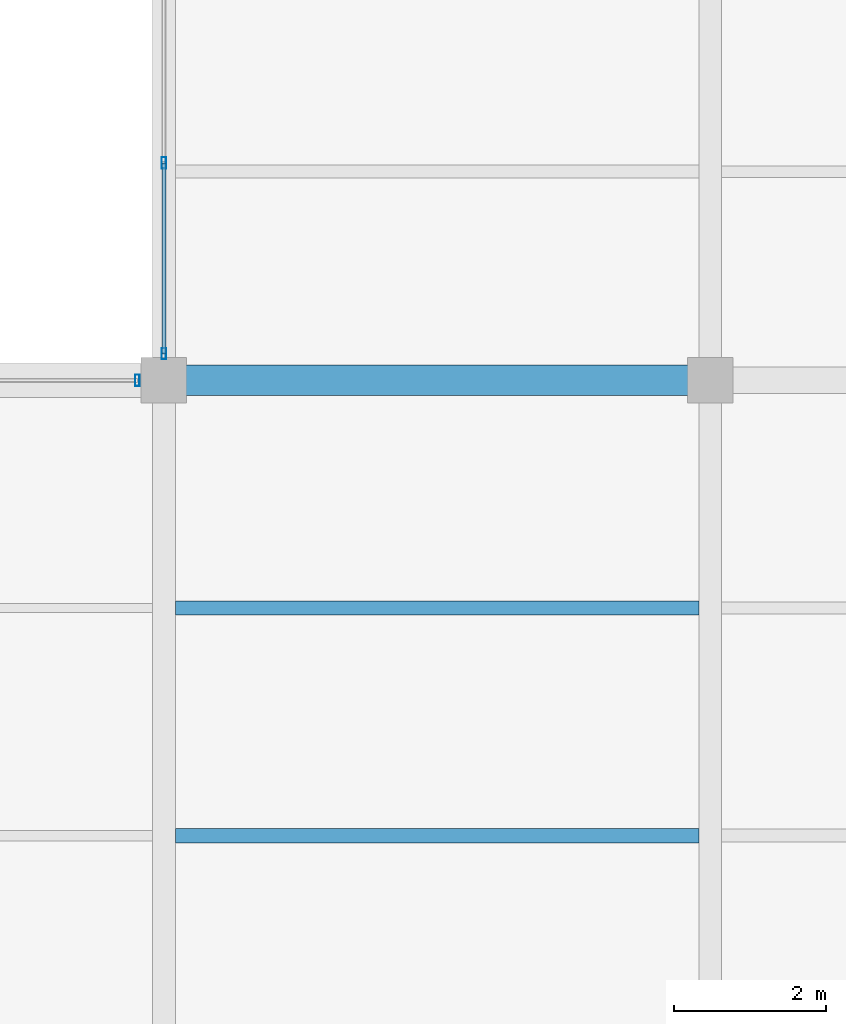
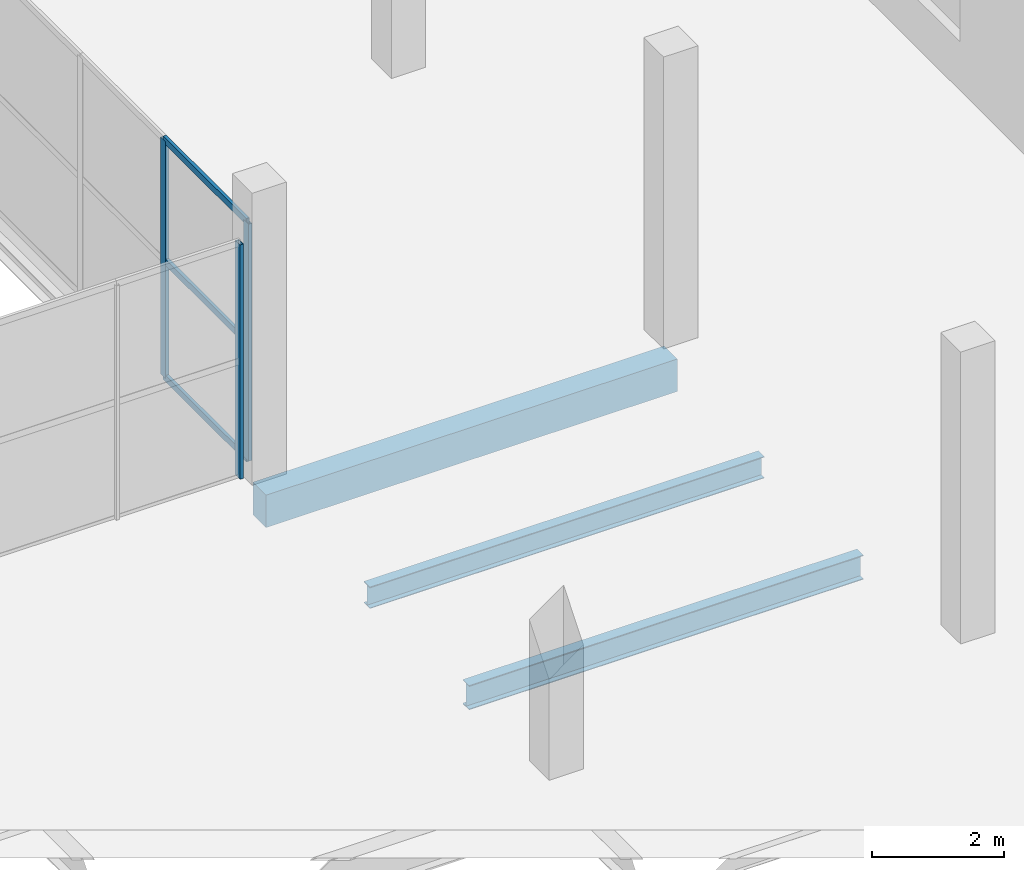
# One storey, part 91 of 141: 6 members, 3 beams, 2 elements without a shape of their own.
"""IFC4 building model written with IfcOpenShell, lengths in metres."""

import ifcopenshell
import ifcopenshell.guid

model = None  # the IFC model being written
_history = None  # IfcOwnerHistory: only IFC2X3 demands one
_inside = {}  # id of a spatial element -> (the spatial element, [elements in it])
_under = {}  # id of a project, library or spatial element -> (it, [spatial elements below it])
_declared = {}  # id of a project -> (the project, [libraries it declares])
_typed = {}  # id of a type object -> (the type object, [elements of that type])
_made_of = {}  # id of a material, layer set ... -> (it, [elements and type objects made of it])


def new_model(schema):
    """Start an empty IFC model of exactly this schema.

    Asked for "IFC4X3", IfcOpenShell would pick the latest addendum, in which some entities
    have other attributes; the version numbers below select the first issue.
    IFC2X3 requires an IfcOwnerHistory on every rooted entity: one is made here for all.
    """
    global model, _history
    if schema == "IFC4X3":
        model = ifcopenshell.file(schema_version=(4, 3, 0, 0))
    else:
        model = ifcopenshell.file(schema=schema)
    _inside.clear()
    _under.clear()
    _declared.clear()
    _typed.clear()
    _made_of.clear()
    _history = None
    if model.schema == "IFC2X3":
        org = make("IfcOrganization", Name="unknown")
        user = make(
            "IfcPersonAndOrganization",
            ThePerson=make("IfcPerson", FamilyName="unknown"),
            TheOrganization=org,
        )
        app = make(
            "IfcApplication",
            ApplicationDeveloper=org,
            Version="unknown",
            ApplicationFullName="unknown",
            ApplicationIdentifier="unknown",
        )
        _history = make(
            "IfcOwnerHistory",
            OwningUser=user,
            OwningApplication=app,
            ChangeAction="ADDED",
            CreationDate=0,
        )
    return model


def make(cls, **values):
    """One entity of the class cls with the attributes given. An attribute that is None is left unset."""
    return model.create_entity(
        cls, **{name: value for name, value in values.items() if value is not None}
    )


def rooted(cls, **values):
    """An entity with a GlobalId (a new one), such as an element, a storey or a relation."""
    return make(cls, GlobalId=ifcopenshell.guid.new(), OwnerHistory=_history, **values)


def si_unit(unit_type, name, prefix=None):
    """IfcSIUnit, for example si_unit("LENGTHUNIT", "METRE", prefix="MILLI")."""
    return make("IfcSIUnit", UnitType=unit_type, Prefix=prefix, Name=name)


def assignment(units):
    """IfcUnitAssignment: the units of a project."""
    return None if units is None else make("IfcUnitAssignment", Units=units)


def point(xyz):
    """IfcCartesianPoint."""
    return None if xyz is None else make("IfcCartesianPoint", Coordinates=xyz)


def direction(xyz):
    """IfcDirection."""
    return None if xyz is None else make("IfcDirection", DirectionRatios=xyz)


def frame(location, z_axis=None, x_axis=None):
    """IfcAxis2Placement3D, a coordinate frame: its origin and axes. An axis left out is left unset."""
    return make(
        "IfcAxis2Placement3D",
        Location=point(location),
        Axis=direction(z_axis),
        RefDirection=direction(x_axis),
    )


def frame_2d(location, x_axis=None):
    """IfcAxis2Placement2D, a coordinate frame in the plane: its origin and x axis."""
    return make(
        "IfcAxis2Placement2D", Location=point(location), RefDirection=direction(x_axis)
    )


def origin():
    """The frame at (0, 0, 0) with its axes left unset."""
    return frame((0.0, 0.0, 0.0))


def origin_2d():
    """The frame at (0, 0) in the plane with its x axis left unset."""
    return frame_2d((0.0, 0.0))


def place(relative_to, where):
    """IfcLocalPlacement: puts the frame where relative to a parent placement (None: the world)."""
    return make(
        "IfcLocalPlacement", PlacementRelTo=relative_to, RelativePlacement=where
    )


def context(
    kind, dimensions, precision=None, world=None, true_north=None, identifier=None
):
    """IfcGeometricRepresentationContext, for example the 3D "Model" context."""
    return make(
        "IfcGeometricRepresentationContext",
        ContextIdentifier=identifier,
        ContextType=kind,
        CoordinateSpaceDimension=dimensions,
        Precision=precision,
        WorldCoordinateSystem=world,
        TrueNorth=true_north,
    )


def subcontext(parent, identifier, kind, view, scale=None):
    """IfcGeometricRepresentationSubContext, for example "Body" below "Model"."""
    return make(
        "IfcGeometricRepresentationSubContext",
        ContextIdentifier=identifier,
        ContextType=kind,
        ParentContext=parent,
        TargetScale=scale,
        TargetView=view,
    )


def project(units=None, contexts=None):
    """IfcProject with its units and contexts."""
    return rooted(
        "IfcProject",
        Name="project",
        RepresentationContexts=contexts,
        UnitsInContext=assignment(units),
    )


def spatial(cls, under=None, at=None, **own):
    """A site, building, storey or space (cls), placed at a placement, below another one or the project."""
    s = rooted(cls, ObjectPlacement=at, **own)
    if under is not None:
        _under.setdefault(under.id(), (under, []))[1].append(s)
    return s


def profile(cls, at=None, kind="AREA", **sizes):
    """A parametric profile (cls). Its sizes go by their IFC names, for example OverallWidth=200.0."""
    return make(cls, ProfileType=kind, Position=at, **sizes)


def rectangle(**sizes):
    """IfcRectangleProfileDef."""
    return profile("IfcRectangleProfileDef", **sizes)


def hollow_rectangle(**sizes):
    """IfcRectangleHollowProfileDef."""
    return profile("IfcRectangleHollowProfileDef", **sizes)


def i_section(**sizes):
    """IfcIShapeProfileDef."""
    return profile("IfcIShapeProfileDef", **sizes)


def extrude(swept, where, along, depth):
    """IfcExtrudedAreaSolid: the profile swept, set in the frame where, extruded along a direction by depth."""
    return make(
        "IfcExtrudedAreaSolid",
        SweptArea=swept,
        Position=where,
        ExtrudedDirection=direction(along),
        Depth=depth,
    )


def shape(context_of_items, identifier, shape_type, items):
    """IfcShapeRepresentation: the items that make up one representation, for example the "Body"."""
    return make(
        "IfcShapeRepresentation",
        ContextOfItems=context_of_items,
        RepresentationIdentifier=identifier,
        RepresentationType=shape_type,
        Items=items,
    )


def material(Name=None, Category=None):
    """IfcMaterial."""
    return make("IfcMaterial", Name=Name, Category=Category)


def layer(
    of_material, thickness, ventilated=None, Name=None, Category=None, Priority=None
):
    """IfcMaterialLayer: one layer of a wall or slab, of a material (None: an air gap)."""
    return make(
        "IfcMaterialLayer",
        Material=of_material,
        LayerThickness=thickness,
        IsVentilated=ventilated,
        Name=Name,
        Category=Category,
        Priority=Priority,
    )


def layer_set(layers, Name=None):
    """IfcMaterialLayerSet."""
    return make("IfcMaterialLayerSet", MaterialLayers=layers, LayerSetName=Name)


def material_profile(
    of_material, cross_section, Name=None, Category=None, Priority=None
):
    """IfcMaterialProfile: a cross section and its material."""
    return make(
        "IfcMaterialProfile",
        Name=Name,
        Material=of_material,
        Profile=cross_section,
        Priority=Priority,
        Category=Category,
    )


def profile_set(profiles, Name=None, composite=None):
    """IfcMaterialProfileSet."""
    return make(
        "IfcMaterialProfileSet",
        Name=Name,
        MaterialProfiles=profiles,
        CompositeProfile=composite,
    )


def made_of(thing, what):
    """Note that an element or type object is made of a material, layer set ...; save() writes the relation."""
    if what is not None:
        _made_of.setdefault(what.id(), (what, []))[1].append(thing)
    return thing


def type_object(cls, material=None, **own):
    """A type object (cls), such as IfcWallType, which elements share."""
    return made_of(rooted(cls, **own), material)


def element(
    cls,
    number,
    at=None,
    inside=None,
    cuts=None,
    type_object=None,
    material=None,
    context=None,
    identifier="Body",
    shape_type=None,
    held_by="IfcProductDefinitionShape",
    body=None,
    shapes=None,
    **own,
):
    """One element of the class cls, such as IfcWall. Its Tag is "e" and its number.

    at: its placement. inside: the storey or other place that contains it. cuts: it is an
    opening in that element (IfcRelVoidsElement). A single representation is given by context,
    identifier, shape_type and body (its items); several are given by shapes. held_by: the class
    of the entity that holds the representations. save() writes the other relations.
    """
    e = rooted(cls, Tag="e%d" % number, ObjectPlacement=at, **own)
    if body is not None:
        shapes = [shape(context, identifier, shape_type, body)]
    if shapes is not None:
        e.Representation = make(held_by, Representations=shapes)
    if inside is not None:
        _inside.setdefault(inside.id(), (inside, []))[1].append(e)
    if cuts is not None:
        rooted(
            "IfcRelVoidsElement", RelatingBuildingElement=cuts, RelatedOpeningElement=e
        )
    if type_object is not None:
        _typed.setdefault(type_object.id(), (type_object, []))[1].append(e)
    return made_of(e, material)


def aggregate(whole, parts):
    """IfcRelAggregates: a whole, such as a stair, and the parts it consists of."""
    return rooted("IfcRelAggregates", RelatingObject=whole, RelatedObjects=parts)


def save(model, path):
    """Write the relations noted so far, then the file.

    IfcRelAggregates (storeys below a building ...), IfcRelContainedInSpatialStructure (elements
    in a storey), IfcRelDefinesByType, IfcRelAssociatesMaterial and IfcRelDeclares: one each for
    every whole, place, type object, material and project.
    """
    for whole, parts in _under.values():
        aggregate(whole, parts)
    for where, things in _inside.values():
        rooted(
            "IfcRelContainedInSpatialStructure",
            RelatedElements=things,
            RelatingStructure=where,
        )
    for kind, things in _typed.values():
        rooted("IfcRelDefinesByType", RelatedObjects=things, RelatingType=kind)
    for what, things in _made_of.values():
        rooted("IfcRelAssociatesMaterial", RelatedObjects=things, RelatingMaterial=what)
    for by, libraries in _declared.values():
        rooted("IfcRelDeclares", RelatingContext=by, RelatedDefinitions=libraries)
    model.write(path)


model = new_model("IFC4")

# Units and contexts
model_context = context("Model", 3, precision=1e-05, world=origin(), true_north=direction((0.0, 1.0)))
body_context = subcontext(model_context, "Body", "Model", "MODEL_VIEW")
ifc_project = project(units=[si_unit("LENGTHUNIT", "METRE"), si_unit("AREAUNIT", "SQUARE_METRE"), si_unit("VOLUMEUNIT", "CUBIC_METRE"), si_unit("PLANEANGLEUNIT", "RADIAN"), si_unit("MASSUNIT", "GRAM", prefix="KILO")], contexts=[model_context])

# Site, building, storey
site_placement = place(None, origin())
site = spatial("IfcSite", under=ifc_project, at=site_placement, CompositionType="ELEMENT")
building_placement = place(site_placement, origin())
building = spatial("IfcBuilding", under=site, at=building_placement, Name="Sundgate Opera House", CompositionType="ELEMENT")
storey_placement = place(building_placement, frame((0.0, 0.0, 11.39990234375)))
storey = spatial("IfcBuildingStorey", under=building, at=storey_placement, Name="L02", CompositionType="ELEMENT", Elevation=11.39990234375)

# Beams
ifc_material_1 = material(Name="Steel S355J2", Category="steel")
ifc_material_profile_1 = material_profile(ifc_material_1, i_section(OverallWidth=0.179931640625, OverallDepth=0.39990234375, WebThickness=0.008544921875, FlangeThickness=0.013427734375, at=origin_2d()), Name="IPE 400")
ifc_profile_set_1 = profile_set([ifc_material_profile_1], Name="Steel S355J2")
beam_type_1 = type_object("IfcBeamType", Name="BM-JS-IPE400", PredefinedType="JOIST", material=ifc_profile_set_1)
beam_1_placement = place(storey_placement, frame((153.14990234375, 84.0, -0.5498046875), z_axis=(1.0, 0.0, 0.0), x_axis=(0.0, 1.0, 0.0)))
element("IfcBeam", 1, at=beam_1_placement, inside=storey, type_object=beam_type_1, Name="L02 Secondary Floor Joist B2333", PredefinedType="JOIST", context=body_context, shape_type="SweptSolid", body=[
    extrude(i_section(OverallWidth=0.179931640625, OverallDepth=0.39990234375, WebThickness=0.008544921875, FlangeThickness=0.013427734375, at=origin_2d()), origin(), (0.0, 0.0, 1.0), 6.900146484375),
])
ifc_material_2 = material(Name="Steel S355J2", Category="steel")
ifc_material_profile_2 = material_profile(ifc_material_2, i_section(OverallWidth=0.18994140625, OverallDepth=0.449951171875, WebThickness=0.009521484375, FlangeThickness=0.0146484375, at=origin_2d()), Name="IPE 450")
ifc_profile_set_2 = profile_set([ifc_material_profile_2], Name="Steel S355J2")
beam_type_2 = type_object("IfcBeamType", Name="BM-JS-IPE450", PredefinedType="JOIST", material=ifc_profile_set_2)
beam_2_placement = place(storey_placement, frame((153.14990234375, 81.0, -0.574951171875), z_axis=(1.0, 0.0, 0.0), x_axis=(0.0, 1.0, 0.0)))
element("IfcBeam", 2, at=beam_2_placement, inside=storey, type_object=beam_type_2, Name="L02 Secondary Floor Joist B2332", PredefinedType="JOIST", context=body_context, shape_type="SweptSolid", body=[
    extrude(i_section(OverallWidth=0.18994140625, OverallDepth=0.449951171875, WebThickness=0.009521484375, FlangeThickness=0.0146484375, at=origin_2d()), origin(), (0.0, 0.0, 1.0), 6.900146484375),
])
ifc_material_3 = material(Name="Concrete C35/45", Category="concrete")
ifc_material_profile_3 = material_profile(ifc_material_3, rectangle(XDim=0.39990234375, YDim=0.60009765625, at=origin_2d()), Name="RC 400x600")
ifc_profile_set_3 = profile_set([ifc_material_profile_3], Name="Concrete C35/45")
beam_type_3 = type_object("IfcBeamType", Name="BM-RC-400x600", PredefinedType="BEAM", material=ifc_profile_set_3)
beam_3_placement = place(storey_placement, frame((153.0, 87.0, -0.64990234375), z_axis=(1.0, 0.0, 0.0), x_axis=(0.0, 1.0, 0.0)))
element("IfcBeam", 3, at=beam_3_placement, inside=storey, type_object=beam_type_3, Name="L02 Primary E-W Girder B2067", PredefinedType="BEAM", context=body_context, shape_type="SweptSolid", body=[
    extrude(rectangle(XDim=0.39990234375, YDim=0.60009765625, at=origin_2d()), origin(), (0.0, 0.0, 1.0), 7.199951171875),
])

# Curtain wall, member
ifc_material_4 = material(Name="Anodized aluminium and low-iron glass", Category="aluminium")
ifc_layer = layer(ifc_material_4, 0.159912109375)
ifc_layer_set = layer_set([ifc_layer], Name="Anodized aluminium and low-iron glass")
curtain_wall_type = type_object("IfcCurtainWallType", Name="CW-STUDIO-DARK", PredefinedType="NOTDEFINED", material=ifc_layer_set)
curtain_wall_1_placement = place(storey_placement, origin())
curtain_wall_1 = element("IfcCurtainWall", 4, at=curtain_wall_1_placement, inside=storey, type_object=curtain_wall_type, Name="L02 Curtain Wall CW114", PredefinedType="NOTDEFINED")
ifc_material_5 = material(Name="Anodized aluminium EN AW-6063", Category="aluminium")
ifc_material_profile_4 = material_profile(ifc_material_5, hollow_rectangle(XDim=0.06005859375, YDim=0.14990234375, WallThickness=0.00390625, at=origin_2d()), Name="CWM 150x60x4")
ifc_profile_set_4 = profile_set([ifc_material_profile_4], Name="Anodized aluminium EN AW-6063")
member_type_1 = type_object("IfcMemberType", Name="CWM-ALU-150x60", PredefinedType="MULLION", material=ifc_profile_set_4)
member_1_placement = place(storey_placement, frame((152.64990234375, 87.0, 0.0), z_axis=(0.0, 0.0, 1.0), x_axis=(1.0, 0.0, 0.0)))
member_1 = element("IfcMember", 5, at=member_1_placement, type_object=member_type_1, Name="CW114 Mullion 4", PredefinedType="MULLION", context=body_context, shape_type="SweptSolid", body=[
    extrude(hollow_rectangle(XDim=0.06005859375, YDim=0.14990234375, WallThickness=0.00390625, at=origin_2d()), origin(), (0.0, 0.0, 1.0), 4.335205078125),
])
aggregate(curtain_wall_1, [member_1])

# Curtain wall, members
curtain_wall_2_placement = place(storey_placement, origin())
curtain_wall_2 = element("IfcCurtainWall", 6, at=curtain_wall_2_placement, inside=storey, type_object=curtain_wall_type, Name="L02 Curtain Wall CW117", PredefinedType="NOTDEFINED")
member_2_placement = place(storey_placement, frame((153.0, 89.86669921875, 0.0), z_axis=(0.0, 0.0, 1.0), x_axis=(1.0, 0.0, 0.0)))
member_2 = element("IfcMember", 7, at=member_2_placement, type_object=member_type_1, Name="CW117 Mullion 3", PredefinedType="MULLION", context=body_context, shape_type="SweptSolid", body=[
    extrude(hollow_rectangle(XDim=0.06005859375, YDim=0.14990234375, WallThickness=0.00390625, at=origin_2d()), origin(), (0.0, 0.0, 1.0), 4.385009765625),
])
member_3_placement = place(storey_placement, frame((153.0, 87.35009765625, 0.0), z_axis=(0.0, 0.0, 1.0), x_axis=(1.0, 0.0, 0.0)))
member_3 = element("IfcMember", 8, at=member_3_placement, type_object=member_type_1, Name="CW117 Mullion 4", PredefinedType="MULLION", context=body_context, shape_type="SweptSolid", body=[
    extrude(hollow_rectangle(XDim=0.06005859375, YDim=0.14990234375, WallThickness=0.00390625, at=origin_2d()), origin(), (0.0, 0.0, 1.0), 4.385009765625),
])
ifc_material_6 = material(Name="Anodized aluminium EN AW-6063", Category="aluminium")
ifc_material_profile_5 = material_profile(ifc_material_6, hollow_rectangle(XDim=0.054931640625, YDim=0.1201171875, WallThickness=0.00390625, at=origin_2d()), Name="CWT 120x55x4")
ifc_profile_set_5 = profile_set([ifc_material_profile_5], Name="Anodized aluminium EN AW-6063")
member_type_2 = type_object("IfcMemberType", Name="CWT-ALU-120x55", PredefinedType="USERDEFINED", material=ifc_profile_set_5)
member_4_placement = place(storey_placement, frame((153.0, 89.86669921875, 0.0), z_axis=(0.0, -1.0, 0.0), x_axis=(1.0, 0.0, 0.0)))
member_4 = element("IfcMember", 9, at=member_4_placement, type_object=member_type_2, Name="CW117 Transom 7", ObjectType="TRANSOM", PredefinedType="USERDEFINED", context=body_context, shape_type="SweptSolid", body=[
    extrude(hollow_rectangle(XDim=0.054931640625, YDim=0.1201171875, WallThickness=0.00390625, at=origin_2d()), origin(), (0.0, 0.0, 1.0), 2.5166015625),
])
member_5_placement = place(storey_placement, frame((153.0, 89.86669921875, 2.150146484375), z_axis=(0.0, -1.0, 0.0), x_axis=(1.0, 0.0, 0.0)))
member_5 = element("IfcMember", 10, at=member_5_placement, type_object=member_type_2, Name="CW117 Transom 8", ObjectType="TRANSOM", PredefinedType="USERDEFINED", context=body_context, shape_type="SweptSolid", body=[
    extrude(hollow_rectangle(XDim=0.054931640625, YDim=0.1201171875, WallThickness=0.00390625, at=origin_2d()), origin(), (0.0, 0.0, 1.0), 2.5166015625),
])
member_6_placement = place(storey_placement, frame((153.0, 89.86669921875, 4.385009765625), z_axis=(0.0, -1.0, 0.0), x_axis=(1.0, 0.0, 0.0)))
member_6 = element("IfcMember", 11, at=member_6_placement, type_object=member_type_2, Name="CW117 Transom 9", ObjectType="TRANSOM", PredefinedType="USERDEFINED", context=body_context, shape_type="SweptSolid", body=[
    extrude(hollow_rectangle(XDim=0.054931640625, YDim=0.1201171875, WallThickness=0.00390625, at=origin_2d()), origin(), (0.0, 0.0, 1.0), 2.5166015625),
])
aggregate(curtain_wall_2, [member_2, member_3, member_4, member_5, member_6])

save(model, "model.ifc")
